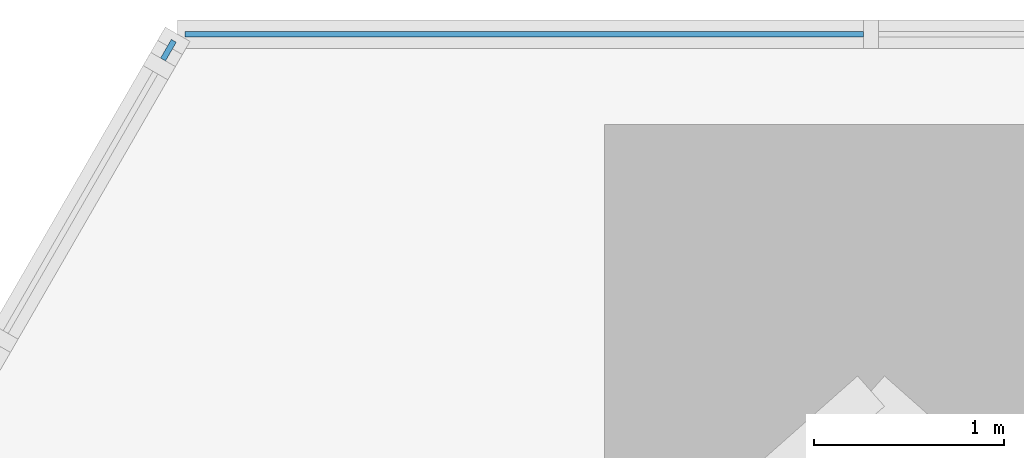
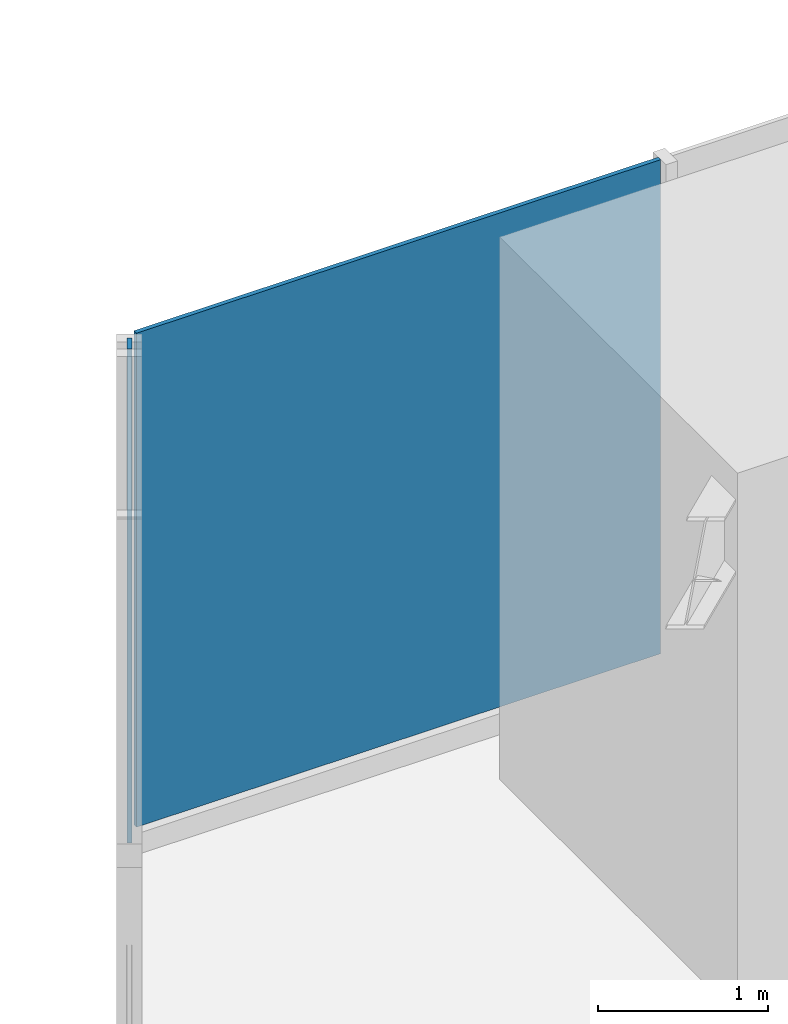
# One storey, part 22 of 32: 2 plates, 2 elements without a shape of their own.
"""IFC4 building model written with IfcOpenShell, lengths in metres."""

from ifc_helpers import new_model, si_unit, direction, frame, origin, place, context, subcontext, project, spatial, polyline, outline, extrude, material, layer, layer_set, type_object, element, aggregate, save


model = new_model("IFC4")

# Units and contexts
model_context = context("Model", 3, precision=1e-05, world=origin(), true_north=direction((0.0, 1.0)))
body_context = subcontext(model_context, "Body", "Model", "MODEL_VIEW")
ifc_project = project(units=[si_unit("LENGTHUNIT", "METRE"), si_unit("AREAUNIT", "SQUARE_METRE"), si_unit("VOLUMEUNIT", "CUBIC_METRE"), si_unit("PLANEANGLEUNIT", "RADIAN"), si_unit("MASSUNIT", "GRAM", prefix="KILO")], contexts=[model_context])

# Site, building, storey
site_placement = place(None, origin())
site = spatial("IfcSite", under=ifc_project, at=site_placement, CompositionType="ELEMENT")
building_placement = place(site_placement, origin())
building = spatial("IfcBuilding", under=site, at=building_placement, Name="Firuza Gate Tower and Library", CompositionType="ELEMENT")
storey_placement = place(building_placement, frame((0.0, 0.0, 163.60009765625)))
storey = spatial("IfcBuildingStorey", under=building, at=storey_placement, Name="L37", CompositionType="ELEMENT", Elevation=163.60009765625)

# Curtain wall, plate
ifc_material_1 = material(Name="Aluminium 6063-T6", Category="aluminium")
ifc_layer_1 = layer(ifc_material_1, 0.14990234375)
ifc_layer_set_1 = layer_set([ifc_layer_1], Name="Corner curtain wall, chamfers")
curtain_wall_type_1 = type_object("IfcCurtainWallType", Name="Corner curtain wall, chamfers", PredefinedType="NOTDEFINED", material=ifc_layer_set_1)
placement = place(storey_placement, origin())
curtain_wall_1 = element("IfcCurtainWall", 1, at=placement, inside=storey, type_object=curtain_wall_type_1, Name="CW4 L37 N corner", PredefinedType="NOTDEFINED")
ifc_material_2 = material(Name="Fritted glass", Category="glass")
ifc_layer_2 = layer(ifc_material_2, 0.030029296875)
ifc_layer_set_2 = layer_set([ifc_layer_2], Name="Fritted glass unit, corners")
plate_type_1 = type_object("IfcPlateType", Name="Fritted glass unit, corners", PredefinedType="CURTAIN_PANEL", material=ifc_layer_set_2)
plate_1_placement = place(storey_placement, frame((74.9599609375, 108.532470703125, 0.14990234375), z_axis=(0.0, 1.0, 0.0), x_axis=(-1.0, 0.0, 0.0)))
plate_1 = element("IfcPlate", 2, at=plate_1_placement, type_object=plate_type_1, Name="Glass unit", PredefinedType="CURTAIN_PANEL", context=body_context, shape_type="SweptSolid", body=[
    extrude(outline(polyline([(0.0, 0.0), (3.563232421875, 0.0), (3.563232421875, 3.550048828125), (0.0, 3.550048828125), (0.0, 0.0)])), origin(), (0.0, 0.0, -1.0), 0.030029296875),
])
aggregate(curtain_wall_1, [plate_1])

ifc_material_3 = material(Name="Aluminium 6063-T6", Category="aluminium")
ifc_layer_3 = layer(ifc_material_3, 0.14990234375)
ifc_layer_set_3 = layer_set([ifc_layer_3], Name="Unitised curtain wall, hotel")
curtain_wall_type_2 = type_object("IfcCurtainWallType", Name="Unitised curtain wall, hotel", PredefinedType="NOTDEFINED", material=ifc_layer_set_3)
curtain_wall_2 = element("IfcCurtainWall", 3, at=placement, inside=storey, type_object=curtain_wall_type_2, Name="CW2 L37 W face", PredefinedType="NOTDEFINED")
ifc_material_4 = material(Name="Glazed ceramic tile")
ifc_layer_4 = layer(ifc_material_4, 0.030029296875)
ifc_layer_set_4 = layer_set([ifc_layer_4], Name="Opaque ceramic panel, hotel")
plate_type_2 = type_object("IfcPlateType", Name="Opaque ceramic panel, hotel", PredefinedType="CURTAIN_PANEL", material=ifc_layer_set_4)
plate_2_placement = place(storey_placement, frame((71.32373046875, 108.490234375, 0.14990234375), z_axis=(-0.865574031608, 0.500780985868, 0.0), x_axis=(-0.500780985868, -0.865574031608, 0.0)))
plate_2 = element("IfcPlate", 4, at=plate_2_placement, type_object=plate_type_2, Name="Opaque ceramic panel", PredefinedType="CURTAIN_PANEL", context=body_context, shape_type="SweptSolid", body=[
    extrude(outline(polyline([(0.0, 0.0), (0.11310458383689945, 0.0), (0.11310458383689945, 3.550048828125), (0.0, 3.550048828125), (0.0, 0.0)])), origin(), (0.0, 0.0, -1.0), 0.030029296875),
])
aggregate(curtain_wall_2, [plate_2])

save(model, "model.ifc")
